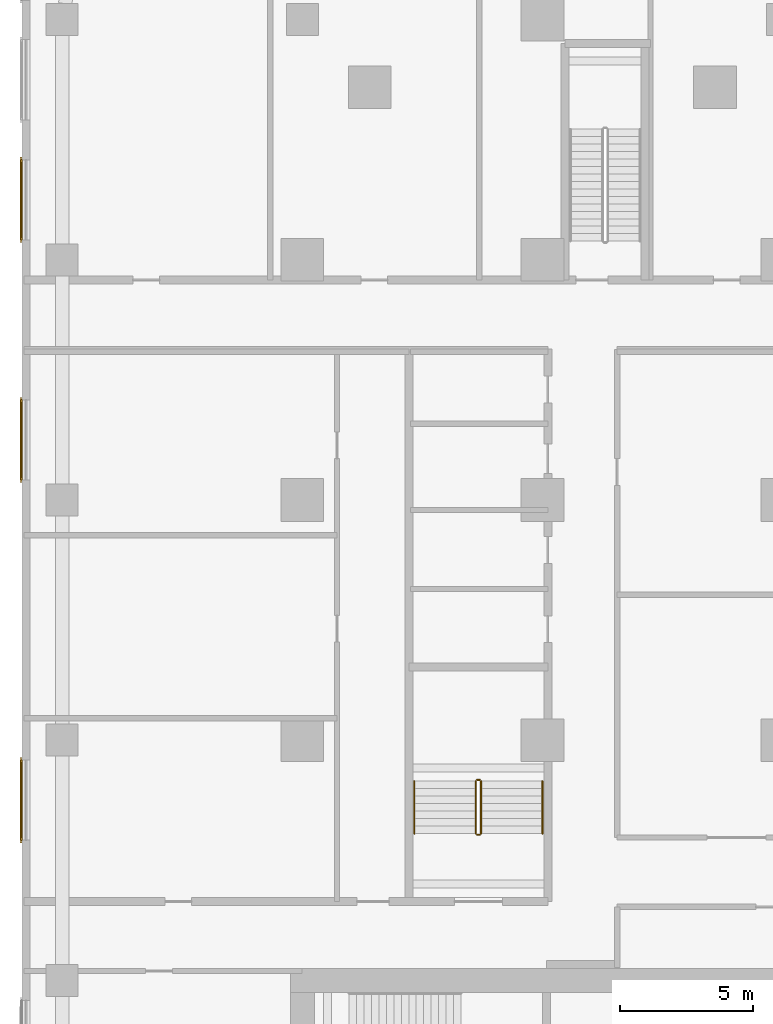
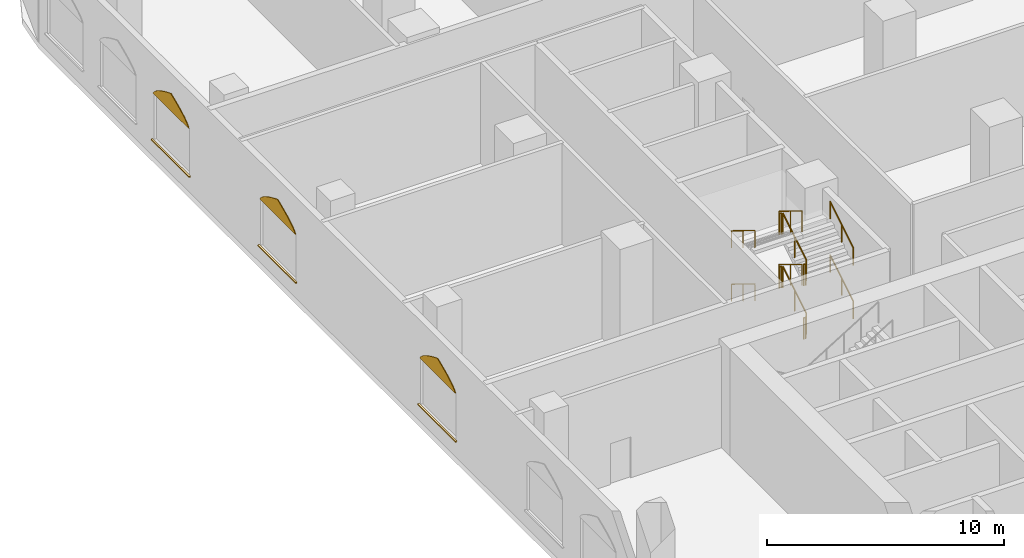
# One storey, part 23 of 31: 12 railings, 6 coverings.
"""IFC4 building model written with IfcOpenShell, lengths in metres."""

from ifc_helpers import new_model, si_unit, direction, frame, origin, origin_2d, place, context, subcontext, project, spatial, polyline, rectangle, circle, outline, extrude, material, layer, layer_set, type_object, element, save


model = new_model("IFC4")

# Units and contexts
model_context = context("Model", 3, precision=1e-05, world=origin(), true_north=direction((0.0, 1.0)))
body_context = subcontext(model_context, "Body", "Model", "MODEL_VIEW")
ifc_project = project(units=[si_unit("LENGTHUNIT", "METRE"), si_unit("AREAUNIT", "SQUARE_METRE"), si_unit("VOLUMEUNIT", "CUBIC_METRE"), si_unit("PLANEANGLEUNIT", "RADIAN"), si_unit("MASSUNIT", "GRAM", prefix="KILO")], contexts=[model_context])

# Site, building, storey
site_placement = place(None, origin())
site = spatial("IfcSite", under=ifc_project, at=site_placement, CompositionType="ELEMENT")
building_placement = place(site_placement, origin())
building = spatial("IfcBuilding", under=site, at=building_placement, Name="Ogive Portal Towers", CompositionType="ELEMENT")
storey_placement = place(building_placement, frame((0.0, 0.0, 8.0)))
storey = spatial("IfcBuildingStorey", under=building, at=storey_placement, Name="L01", CompositionType="ELEMENT", Elevation=8.0)

# Railings
ifc_material_1 = material(Name="Stainless steel balustrade", Category="steel")
railing_type_1 = type_object("IfcRailingType", Name="INT-GUARD", PredefinedType="GUARDRAIL", material=ifc_material_1)
railing_1_placement = place(storey_placement, frame((38.199951171875, 45.0, 0.171875)))
element("IfcRailing", 1, at=railing_1_placement, inside=storey, type_object=railing_type_1, Name="L01 ST-P2 stair guard 1", PredefinedType="GUARDRAIL", context=body_context, shape_type="SweptSolid", body=[
    extrude(circle(Radius=0.02392578125, at=origin_2d()), frame((0.0, 0.0, 1.076171875), z_axis=(0.0, 0.852240978134, 0.523149419562), x_axis=(-1.0, 0.0, 0.0)), (0.0, 0.0, 1.0), 2.2998046875),
    extrude(circle(Radius=0.02099609375, at=origin_2d()), origin(), (0.0, 0.0, 1.0), 1.052001953125),
    extrude(circle(Radius=0.02099609375, at=origin_2d()), frame((0.0, 0.97998046875, 0.6015625)), (0.0, 0.0, 1.0), 1.052001953125),
    extrude(circle(Radius=0.02099609375, at=origin_2d()), frame((0.0, 1.9599609375, 1.203125)), (0.0, 0.0, 1.0), 1.052001953125),
])
railing_2_placement = place(storey_placement, frame((38.14990234375, 47.010009765625, 1.375)))
element("IfcRailing", 2, at=railing_2_placement, inside=storey, type_object=railing_type_1, Name="L01 ST-P2 stair guard 2", PredefinedType="GUARDRAIL", context=body_context, shape_type="SweptSolid", body=[
    extrude(circle(Radius=0.02392578125, at=origin_2d()), frame((0.0, 0.0, 1.076171875), z_axis=(-1.0, 0.0, 0.0), x_axis=(0.0, -1.0, 0.0)), (0.0, 0.0, 1.0), 0.099853515625),
    extrude(circle(Radius=0.02099609375, at=origin_2d()), origin(), (0.0, 0.0, 1.0), 1.052001953125),
    extrude(circle(Radius=0.02099609375, at=origin_2d()), frame((-0.099853515625, 0.0, 0.0)), (0.0, 0.0, 1.0), 1.052001953125),
])
railing_3_placement = place(storey_placement, frame((38.0, 46.9599609375, 1.546875)))
element("IfcRailing", 3, at=railing_3_placement, inside=storey, type_object=railing_type_1, Name="L01 ST-P2 stair guard 3", PredefinedType="GUARDRAIL", context=body_context, shape_type="SweptSolid", body=[
    extrude(circle(Radius=0.02392578125, at=origin_2d()), frame((0.0, 0.0, 1.076171875), z_axis=(0.0, -0.852240978134, 0.523149419562), x_axis=(1.0, 0.0, 0.0)), (0.0, 0.0, 1.0), 2.2998046875),
    extrude(circle(Radius=0.02099609375, at=origin_2d()), origin(), (0.0, 0.0, 1.0), 1.052001953125),
    extrude(circle(Radius=0.02099609375, at=origin_2d()), frame((0.0, -0.97998046875, 0.6015625)), (0.0, 0.0, 1.0), 1.052001953125),
    extrude(circle(Radius=0.02099609375, at=origin_2d()), frame((0.0, -1.9599609375, 1.203125)), (0.0, 0.0, 1.0), 1.052001953125),
])
railing_4_placement = place(storey_placement, frame((38.14990234375, 44.949951171875, 2.75)))
element("IfcRailing", 4, at=railing_4_placement, inside=storey, type_object=railing_type_1, Name="L01 ST-P2 stair guard 4", PredefinedType="GUARDRAIL", context=body_context, shape_type="SweptSolid", body=[
    extrude(circle(Radius=0.02392578125, at=origin_2d()), frame((0.0, 0.0, 1.076171875), z_axis=(-1.0, 0.0, 0.0), x_axis=(0.0, -1.0, 0.0)), (0.0, 0.0, 1.0), 0.099853515625),
    extrude(circle(Radius=0.02099609375, at=origin_2d()), origin(), (0.0, 0.0, 1.0), 1.052001953125),
    extrude(circle(Radius=0.02099609375, at=origin_2d()), frame((-0.099853515625, 0.0, 0.0)), (0.0, 0.0, 1.0), 1.052001953125),
])
railing_5_placement = place(storey_placement, frame((38.199951171875, 45.0, 2.921875)))
element("IfcRailing", 5, at=railing_5_placement, inside=storey, type_object=railing_type_1, Name="L01 ST-P2 stair guard 5", PredefinedType="GUARDRAIL", context=body_context, shape_type="SweptSolid", body=[
    extrude(circle(Radius=0.02392578125, at=origin_2d()), frame((0.0, 0.0, 1.076171875), z_axis=(0.0, 0.852240978134, 0.523149419562), x_axis=(-1.0, 0.0, 0.0)), (0.0, 0.0, 1.0), 2.2998046875),
    extrude(circle(Radius=0.02099609375, at=origin_2d()), origin(), (0.0, 0.0, 1.0), 1.052001953125),
    extrude(circle(Radius=0.02099609375, at=origin_2d()), frame((0.0, 0.97998046875, 0.6015625)), (0.0, 0.0, 1.0), 1.052001953125),
    extrude(circle(Radius=0.02099609375, at=origin_2d()), frame((0.0, 1.9599609375, 1.203125)), (0.0, 0.0, 1.0), 1.052001953125),
])
railing_6_placement = place(storey_placement, frame((38.14990234375, 47.010009765625, 4.125)))
element("IfcRailing", 6, at=railing_6_placement, inside=storey, type_object=railing_type_1, Name="L01 ST-P2 stair guard 6", PredefinedType="GUARDRAIL", context=body_context, shape_type="SweptSolid", body=[
    extrude(circle(Radius=0.02392578125, at=origin_2d()), frame((0.0, 0.0, 1.076171875), z_axis=(-1.0, 0.0, 0.0), x_axis=(0.0, -1.0, 0.0)), (0.0, 0.0, 1.0), 0.099853515625),
    extrude(circle(Radius=0.02099609375, at=origin_2d()), origin(), (0.0, 0.0, 1.0), 1.052001953125),
    extrude(circle(Radius=0.02099609375, at=origin_2d()), frame((-0.099853515625, 0.0, 0.0)), (0.0, 0.0, 1.0), 1.052001953125),
])
railing_7_placement = place(storey_placement, frame((38.0, 46.9599609375, 4.296875)))
element("IfcRailing", 7, at=railing_7_placement, inside=storey, type_object=railing_type_1, Name="L01 ST-P2 stair guard 7", PredefinedType="GUARDRAIL", context=body_context, shape_type="SweptSolid", body=[
    extrude(circle(Radius=0.02392578125, at=origin_2d()), frame((0.0, 0.0, 1.076171875), z_axis=(0.0, -0.852240978134, 0.523149419562), x_axis=(1.0, 0.0, 0.0)), (0.0, 0.0, 1.0), 2.2998046875),
    extrude(circle(Radius=0.02099609375, at=origin_2d()), origin(), (0.0, 0.0, 1.0), 1.052001953125),
    extrude(circle(Radius=0.02099609375, at=origin_2d()), frame((0.0, -0.97998046875, 0.6015625)), (0.0, 0.0, 1.0), 1.052001953125),
    extrude(circle(Radius=0.02099609375, at=origin_2d()), frame((0.0, -1.9599609375, 1.203125)), (0.0, 0.0, 1.0), 1.052001953125),
])
railing_8_placement = place(storey_placement, frame((38.14990234375, 44.949951171875, 0.0)))
element("IfcRailing", 8, at=railing_8_placement, inside=storey, type_object=railing_type_1, Name="L01 ST-P2 stair guard 8", PredefinedType="GUARDRAIL", context=body_context, shape_type="SweptSolid", body=[
    extrude(circle(Radius=0.02392578125, at=origin_2d()), frame((0.0, 0.0, 1.076171875), z_axis=(-1.0, 0.0, 0.0), x_axis=(0.0, -1.0, 0.0)), (0.0, 0.0, 1.0), 0.099853515625),
    extrude(circle(Radius=0.02099609375, at=origin_2d()), origin(), (0.0, 0.0, 1.0), 1.052001953125),
    extrude(circle(Radius=0.02099609375, at=origin_2d()), frame((-0.099853515625, 0.0, 0.0)), (0.0, 0.0, 1.0), 1.052001953125),
])
ifc_material_2 = material(Name="Stainless steel handrail", Category="steel")
railing_type_2 = type_object("IfcRailingType", Name="INT-HANDRAIL", PredefinedType="HANDRAIL", material=ifc_material_2)
railing_9_placement = place(storey_placement, frame((40.5, 45.0, 0.171875)))
element("IfcRailing", 9, at=railing_9_placement, inside=storey, type_object=railing_type_2, Name="L01 ST-P2 stair handrail 1", PredefinedType="HANDRAIL", context=body_context, shape_type="SweptSolid", body=[
    extrude(circle(Radius=0.02392578125, at=origin_2d()), frame((0.0, 0.0, 0.8759765625), z_axis=(0.0, 0.852240978134, 0.523149419562), x_axis=(-1.0, 0.0, 0.0)), (0.0, 0.0, 1.0), 2.2998046875),
    extrude(circle(Radius=0.02099609375, at=origin_2d()), origin(), (0.0, 0.0, 1.0), 0.851806640625),
    extrude(circle(Radius=0.02099609375, at=origin_2d()), frame((0.0, 0.97998046875, 0.6015625)), (0.0, 0.0, 1.0), 0.851806640625),
    extrude(circle(Radius=0.02099609375, at=origin_2d()), frame((0.0, 1.9599609375, 1.203125)), (0.0, 0.0, 1.0), 0.851806640625),
])
railing_10_placement = place(storey_placement, frame((35.699951171875, 46.9599609375, 1.546875)))
element("IfcRailing", 10, at=railing_10_placement, inside=storey, type_object=railing_type_2, Name="L01 ST-P2 stair handrail 2", PredefinedType="HANDRAIL", context=body_context, shape_type="SweptSolid", body=[
    extrude(circle(Radius=0.02392578125, at=origin_2d()), frame((0.0, 0.0, 0.8759765625), z_axis=(0.0, -0.852240978134, 0.523149419562), x_axis=(1.0, 0.0, 0.0)), (0.0, 0.0, 1.0), 2.2998046875),
    extrude(circle(Radius=0.02099609375, at=origin_2d()), origin(), (0.0, 0.0, 1.0), 0.851806640625),
    extrude(circle(Radius=0.02099609375, at=origin_2d()), frame((0.0, -0.97998046875, 0.6015625)), (0.0, 0.0, 1.0), 0.851806640625),
    extrude(circle(Radius=0.02099609375, at=origin_2d()), frame((0.0, -1.9599609375, 1.203125)), (0.0, 0.0, 1.0), 0.851806640625),
])
railing_11_placement = place(storey_placement, frame((40.5, 45.0, 2.921875)))
element("IfcRailing", 11, at=railing_11_placement, inside=storey, type_object=railing_type_2, Name="L01 ST-P2 stair handrail 3", PredefinedType="HANDRAIL", context=body_context, shape_type="SweptSolid", body=[
    extrude(circle(Radius=0.02392578125, at=origin_2d()), frame((0.0, 0.0, 0.8759765625), z_axis=(0.0, 0.852240978134, 0.523149419562), x_axis=(-1.0, 0.0, 0.0)), (0.0, 0.0, 1.0), 2.2998046875),
    extrude(circle(Radius=0.02099609375, at=origin_2d()), origin(), (0.0, 0.0, 1.0), 0.851806640625),
    extrude(circle(Radius=0.02099609375, at=origin_2d()), frame((0.0, 0.97998046875, 0.6015625)), (0.0, 0.0, 1.0), 0.851806640625),
    extrude(circle(Radius=0.02099609375, at=origin_2d()), frame((0.0, 1.9599609375, 1.203125)), (0.0, 0.0, 1.0), 0.851806640625),
])
railing_12_placement = place(storey_placement, frame((35.699951171875, 46.9599609375, 4.296875)))
element("IfcRailing", 12, at=railing_12_placement, inside=storey, type_object=railing_type_2, Name="L01 ST-P2 stair handrail 4", PredefinedType="HANDRAIL", context=body_context, shape_type="SweptSolid", body=[
    extrude(circle(Radius=0.02392578125, at=origin_2d()), frame((0.0, 0.0, 0.8759765625), z_axis=(0.0, -0.852240978134, 0.523149419562), x_axis=(1.0, 0.0, 0.0)), (0.0, 0.0, 1.0), 2.2998046875),
    extrude(circle(Radius=0.02099609375, at=origin_2d()), origin(), (0.0, 0.0, 1.0), 0.851806640625),
    extrude(circle(Radius=0.02099609375, at=origin_2d()), frame((0.0, -0.97998046875, 0.6015625)), (0.0, 0.0, 1.0), 0.851806640625),
    extrude(circle(Radius=0.02099609375, at=origin_2d()), frame((0.0, -1.9599609375, 1.203125)), (0.0, 0.0, 1.0), 0.851806640625),
])

# Coverings
ifc_material_3 = material(Name="Limestone cladding on lightweight block wall", Category="masonry")
ifc_layer_1 = layer(ifc_material_3, 0.0400390625)
ifc_layer_set_1 = layer_set([ifc_layer_1], Name="LANCET HEAD STONE")
covering_type_1 = type_object("IfcCoveringType", Name="LANCET HEAD STONE", PredefinedType="CLADDING", material=ifc_layer_set_1)
for number, where, z_axis, x_axis, name in (
    (13, (21.0, 70.25, 3.300048828125), (0.999950056531, 0.0, 0.009994220538), (0.0, -1.0, 0.0), "Lancet head"),
    (14, (21.0, 61.25, 3.300048828125), (0.999950056531, 0.0, 0.009994220538), (0.0, -1.0, 0.0), "Lancet head"),
    (15, (21.0, 47.75, 3.300048828125), (0.999950056531, 0.0, 0.009994220538), (0.0, -1.0, 0.0), "Lancet head"),
):
    element("IfcCovering", number, at=place(storey_placement, frame(where, z_axis=z_axis, x_axis=x_axis)), inside=storey, type_object=covering_type_1, Name=name, PredefinedType="CLADDING", context=body_context, shape_type="SweptSolid", body=[
        extrude(outline(polyline([(0.0, 0.0), (3.0, 0.0), (2.93359375, -0.11255540702230543), (2.8125, -0.22486424561759202), (2.655517578125, -0.3374196526398974), (2.4697265625, -0.4499726196669543), (2.2587890625, -0.5625280266892596), (2.025634765625, -0.6750834337115651), (1.772216796875, -0.7873922723068517), (1.5, -0.8999476793291572), (1.227783203125, -0.7873922723068517), (0.974365234375, -0.6750834337115651), (0.7412109375, -0.5625280266892596), (0.5302734375, -0.4499726196669543), (0.344482421875, -0.3374196526398974), (0.1875, -0.22486424561759202), (0.06640625, -0.11255540702230543), (0.0, 0.0)])), origin(), (0.0, 0.0, -1.0), 0.0400390625),
    ])
ifc_layer_2 = layer(ifc_material_3, 0.080078125)
ifc_layer_set_2 = layer_set([ifc_layer_2], Name="STONE SILL 80")
covering_type_2 = type_object("IfcCoveringType", Name="STONE SILL 80", PredefinedType="CLADDING", material=ifc_layer_set_2)
for number, where, z_axis, x_axis, name in (
    (16, (20.9599609375, 68.75, 0.840087890625), (0.0, 0.0, 1.0), (0.0, -1.0, 0.0), "Stone sill"),
    (17, (20.9599609375, 59.75, 0.840087890625), (0.0, 0.0, 1.0), (0.0, -1.0, 0.0), "Stone sill"),
    (18, (20.9599609375, 46.25, 0.840087890625), (0.0, 0.0, 1.0), (0.0, -1.0, 0.0), "Stone sill"),
):
    element("IfcCovering", number, at=place(storey_placement, frame(where, z_axis=z_axis, x_axis=x_axis)), inside=storey, type_object=covering_type_2, Name=name, PredefinedType="CLADDING", context=body_context, shape_type="SweptSolid", body=[
        extrude(rectangle(XDim=3.199951171875, YDim=0.080078125, at=origin_2d()), origin(), (0.0, 0.0, 1.0), 0.06005859375),
    ])

save(model, "model.ifc")
